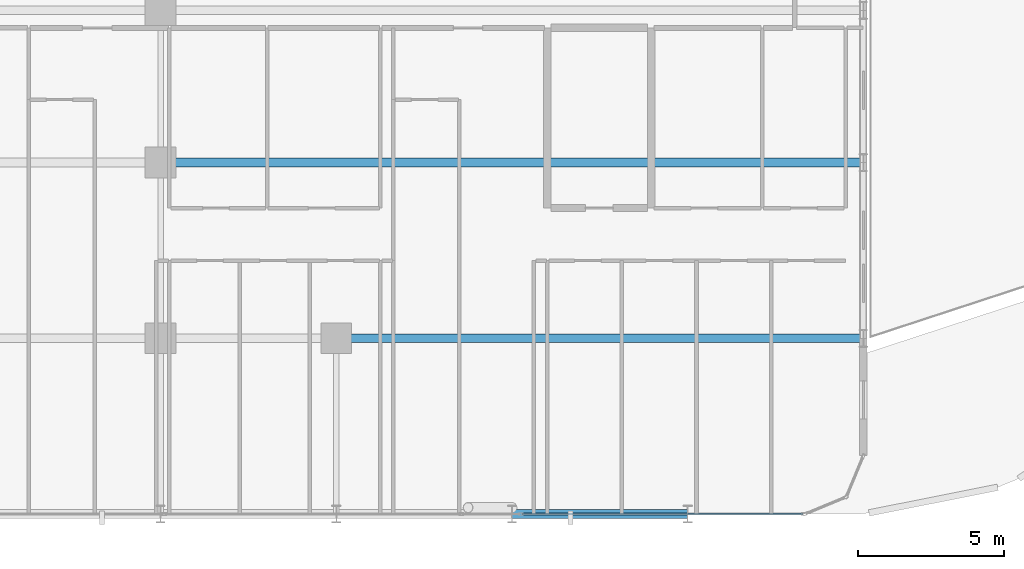
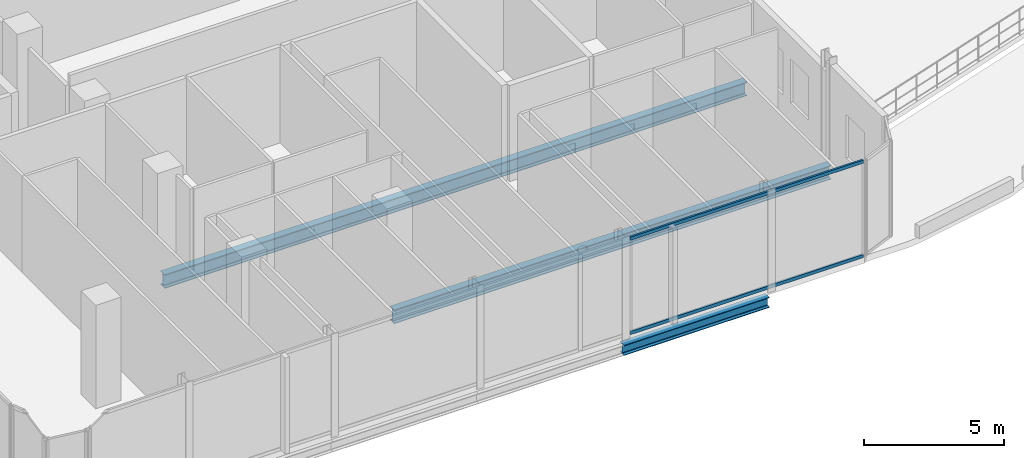
# One storey, part 9 of 30: 3 beams, 2 members, 1 element without a shape of its own.
"""IFC4 building model written with IfcOpenShell, lengths in metres."""

from ifc_helpers import new_model, si_unit, direction, frame, origin, origin_2d, place, context, subcontext, project, spatial, hollow_rectangle, i_section, extrude, material, layer, layer_set, material_profile, profile_set, type_object, element, aggregate, save


model = new_model("IFC4")

# Units and contexts
model_context = context("Model", 3, precision=1e-05, world=origin(), true_north=direction((0.0, 1.0)))
body_context = subcontext(model_context, "Body", "Model", "MODEL_VIEW")
ifc_project = project(units=[si_unit("LENGTHUNIT", "METRE"), si_unit("AREAUNIT", "SQUARE_METRE"), si_unit("VOLUMEUNIT", "CUBIC_METRE"), si_unit("PLANEANGLEUNIT", "RADIAN"), si_unit("MASSUNIT", "GRAM", prefix="KILO")], contexts=[model_context])

# Site, building, storey
site_placement = place(None, origin())
site = spatial("IfcSite", under=ifc_project, at=site_placement, CompositionType="ELEMENT")
building_placement = place(site_placement, origin())
building = spatial("IfcBuilding", under=site, at=building_placement, Name="Keshet Zoharim Tower", CompositionType="ELEMENT")
storey_placement = place(building_placement, frame((0.0, 0.0, 86.39990234375)))
storey = spatial("IfcBuildingStorey", under=building, at=storey_placement, Name="L20", CompositionType="ELEMENT", Elevation=86.39990234375)

# Beams
ifc_material_1 = material(Name="Steel S355", Category="steel")
ifc_material_profile_1 = material_profile(ifc_material_1, i_section(OverallWidth=0.300048828125, OverallDepth=0.60009765625, WebThickness=0.015380859375, FlangeThickness=0.030029296875, FilletRadius=0.027099609375, at=origin_2d()), Name="HEB600")
ifc_profile_set_1 = profile_set([ifc_material_profile_1], Name="Steel S355")
beam_type_1 = type_object("IfcBeamType", Name="BM-LNG-HB600", PredefinedType="BEAM", material=ifc_profile_set_1)
beam_1_placement = place(storey_placement, frame((39.0, 6.699951171875, -0.614990234375), z_axis=(1.0, 0.0, 0.0), x_axis=(0.0, 1.0, 0.0)))
element("IfcBeam", 1, at=beam_1_placement, inside=storey, type_object=beam_type_1, Name="L20 Primary Girder X-008", PredefinedType="BEAM", context=body_context, shape_type="SweptSolid", body=[
    extrude(i_section(OverallWidth=0.300048828125, OverallDepth=0.60009765625, WebThickness=0.015380859375, FlangeThickness=0.030029296875, FilletRadius=0.027099609375, at=origin_2d()), origin(), (0.0, 0.0, 1.0), 18.0),
])
beam_2_placement = place(storey_placement, frame((33.0, 12.699951171875, -0.614990234375), z_axis=(1.0, 0.0, 0.0), x_axis=(0.0, 1.0, 0.0)))
element("IfcBeam", 2, at=beam_2_placement, inside=storey, type_object=beam_type_1, Name="L20 Primary Girder X-010", PredefinedType="BEAM", context=body_context, shape_type="SweptSolid", body=[
    extrude(i_section(OverallWidth=0.300048828125, OverallDepth=0.60009765625, WebThickness=0.015380859375, FlangeThickness=0.030029296875, FilletRadius=0.027099609375, at=origin_2d()), origin(), (0.0, 0.0, 1.0), 24.0),
])
ifc_material_profile_2 = material_profile(ifc_material_1, i_section(OverallWidth=0.300048828125, OverallDepth=0.449951171875, WebThickness=0.013916015625, FlangeThickness=0.02587890625, FilletRadius=0.027099609375, at=origin_2d()), Name="HEB450")
ifc_profile_set_2 = profile_set([ifc_material_profile_2], Name="Steel S355")
beam_type_2 = type_object("IfcBeamType", Name="BM-WEB-HB450", PredefinedType="BEAM", material=ifc_profile_set_2)
beam_3_placement = place(storey_placement, frame((45.0, 0.699951171875, -0.539794921875), z_axis=(1.0, 0.0, 0.0), x_axis=(0.0, 1.0, 0.0)))
element("IfcBeam", 3, at=beam_3_placement, inside=storey, type_object=beam_type_2, Name="L20 Primary Girder X-004", PredefinedType="BEAM", context=body_context, shape_type="SweptSolid", body=[
    extrude(i_section(OverallWidth=0.300048828125, OverallDepth=0.449951171875, WebThickness=0.013916015625, FlangeThickness=0.02587890625, FilletRadius=0.027099609375, at=origin_2d()), origin(), (0.0, 0.0, 1.0), 6.0),
])

# Curtain wall, members
ifc_material_2 = material(Name="Aluminium 6063-T6", Category="aluminium")
ifc_layer = layer(ifc_material_2, 0.159912109375)
ifc_layer_set = layer_set([ifc_layer], Name="Aluminium 6063-T6")
curtain_wall_type = type_object("IfcCurtainWallType", Name="CW-SYS-03", PredefinedType="NOTDEFINED", material=ifc_layer_set)
curtain_wall_placement = place(storey_placement, origin())
curtain_wall = element("IfcCurtainWall", 4, at=curtain_wall_placement, inside=storey, type_object=curtain_wall_type, Name="L20 Unitised Curtain Wall 03", PredefinedType="NOTDEFINED")
ifc_material_profile_3 = material_profile(ifc_material_2, hollow_rectangle(XDim=0.080078125, YDim=0.139892578125, WallThickness=0.00390625, at=origin_2d()), Name="TRN-80x140")
ifc_profile_set_3 = profile_set([ifc_material_profile_3], Name="Aluminium 6063-T6")
member_type = type_object("IfcMemberType", Name="CWT-T14", PredefinedType="USERDEFINED", material=ifc_profile_set_3)
member_1_placement = place(storey_placement, frame((54.929931640625, 0.699951171875, 0.03515625), z_axis=(-1.0, 0.0, 0.0), x_axis=(0.0, -1.0, 0.0)))
member_1 = element("IfcMember", 5, at=member_1_placement, type_object=member_type, Name="CW-03 transom 1.1", ObjectType="TRANSOM", PredefinedType="USERDEFINED", context=body_context, shape_type="SweptSolid", body=[
    extrude(hollow_rectangle(XDim=0.080078125, YDim=0.139892578125, WallThickness=0.00390625, at=origin_2d()), origin(), (0.0, 0.0, 1.0), 9.592529296875),
])
member_2_placement = place(storey_placement, frame((54.929931640625, 0.699951171875, 4.150146484375), z_axis=(-1.0, 0.0, 0.0), x_axis=(0.0, -1.0, 0.0)))
member_2 = element("IfcMember", 6, at=member_2_placement, type_object=member_type, Name="CW-03 transom 1.2", ObjectType="TRANSOM", PredefinedType="USERDEFINED", context=body_context, shape_type="SweptSolid", body=[
    extrude(hollow_rectangle(XDim=0.080078125, YDim=0.139892578125, WallThickness=0.00390625, at=origin_2d()), origin(), (0.0, 0.0, 1.0), 9.592529296875),
])
aggregate(curtain_wall, [member_1, member_2])

save(model, "model.ifc")
